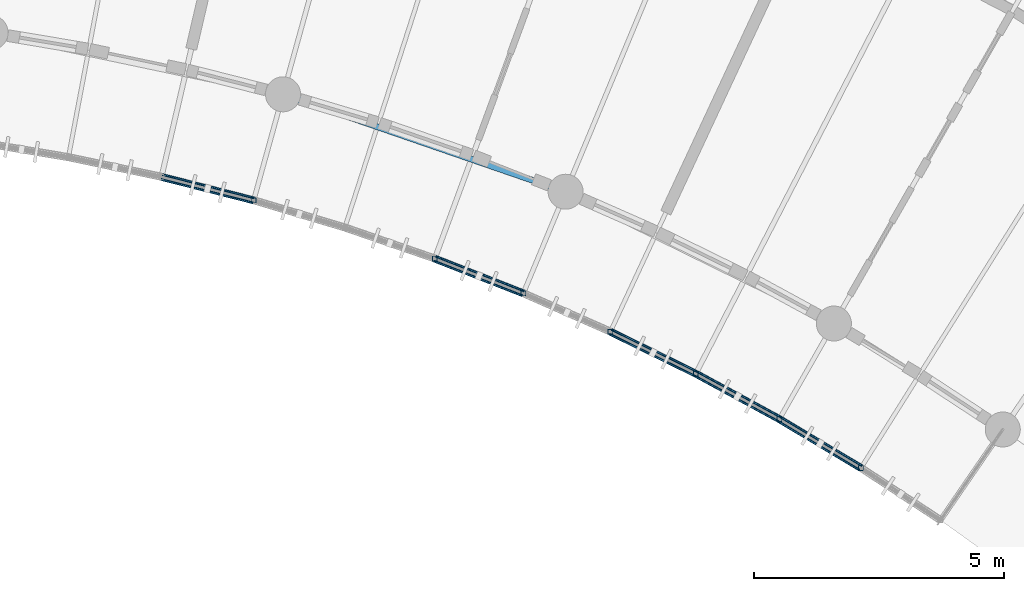
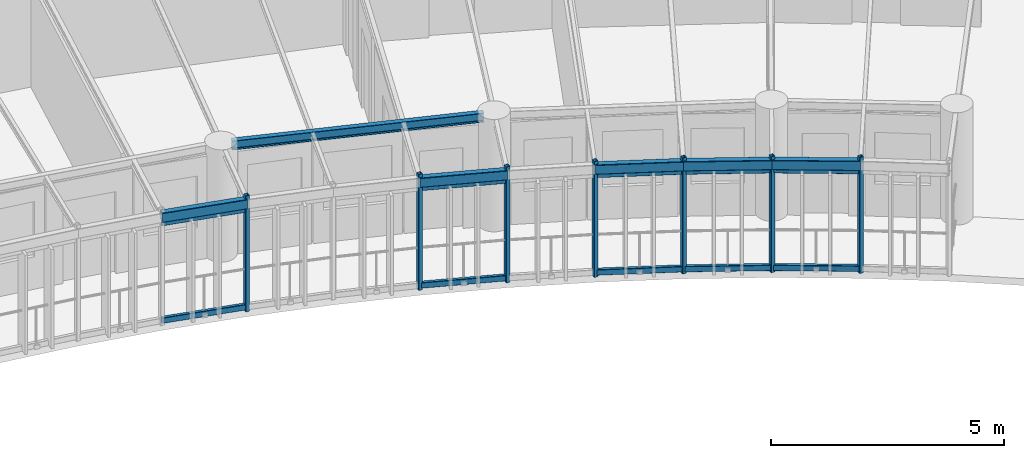
# One storey, part 54 of 123: 17 members, 6 beams.
"""IFC4 building model written with IfcOpenShell, lengths in metres."""

from ifc_helpers import new_model, si_unit, direction, frame, origin, origin_2d, place, context, subcontext, project, spatial, hollow_rectangle, i_section, extrude, material, material_profile, profile_set, type_object, element, save


model = new_model("IFC4")

# Units and contexts
model_context = context("Model", 3, precision=1e-05, world=origin(), true_north=direction((0.0, 1.0)))
body_context = subcontext(model_context, "Body", "Model", "MODEL_VIEW")
ifc_project = project(units=[si_unit("LENGTHUNIT", "METRE"), si_unit("AREAUNIT", "SQUARE_METRE"), si_unit("VOLUMEUNIT", "CUBIC_METRE"), si_unit("PLANEANGLEUNIT", "RADIAN"), si_unit("MASSUNIT", "GRAM", prefix="KILO"), si_unit("POWERUNIT", "WATT"), si_unit("THERMODYNAMICTEMPERATUREUNIT", "KELVIN")], contexts=[model_context])

# Site, building, storey
site_placement = place(None, origin())
site = spatial("IfcSite", under=ifc_project, at=site_placement, CompositionType="ELEMENT")
building_placement = place(site_placement, origin())
building = spatial("IfcBuilding", under=site, at=building_placement, Name="Ruvembo Vaulted Housing Court", CompositionType="ELEMENT")
storey_placement = place(building_placement, frame((0.0, 0.0, 7.699951171875)))
storey = spatial("IfcBuildingStorey", under=building, at=storey_placement, Name="L02", CompositionType="ELEMENT", Elevation=7.699951171875)

# Beams
ifc_material = material(Name="Steel S355J2", Category="steel")
ifc_material_profile_1 = material_profile(ifc_material, i_section(OverallWidth=0.1201171875, OverallDepth=0.239990234375, WebThickness=0.006103515625, FlangeThickness=0.009765625, FilletRadius=0.014892578125, at=origin_2d()), Name="IPE 240")
ifc_profile_set_1 = profile_set([ifc_material_profile_1], Name="Steel S355J2")
beam_type_1 = type_object("IfcBeamType", Name="BM-ST-IPE240", PredefinedType="BEAM", material=ifc_profile_set_1)
beam_placement = place(storey_placement, frame((130.01220703125, 96.188232421875, 2.822021484375), z_axis=(0.945373922745, -0.325987954063, 0.0), x_axis=(0.325987954063, 0.945373922745, 0.0)))
element("IfcBeam", 1, at=beam_placement, inside=storey, type_object=beam_type_1, Name="Scoop SC3 L02 Chord Girder F21", PredefinedType="BEAM", context=body_context, shape_type="SweptSolid", body=[
    extrude(i_section(OverallWidth=0.1201171875, OverallDepth=0.239990234375, WebThickness=0.006103515625, FlangeThickness=0.009765625, FilletRadius=0.014892578125, at=origin_2d()), origin(), (0.0, 0.0, 1.0), 5.513671875),
])
ifc_material_profile_2 = material_profile(ifc_material, hollow_rectangle(XDim=0.14990234375, YDim=0.25, WallThickness=0.010009765625, InnerFilletRadius=0.010009765625, OuterFilletRadius=0.02001953125, at=origin_2d()), Name="RHS 250x150x10")
ifc_profile_set_2 = profile_set([ifc_material_profile_2], Name="Steel S355J2")
beam_type_2 = type_object("IfcBeamType", Name="BM-ST-RHS250", PredefinedType="SPANDREL", material=ifc_profile_set_2)
for number, where, z_axis, x_axis, name in (
    (2, (127.365966796875, 94.611572265625, 2.81494140625), (0.969121730429, -0.246582788553, 0.0), (0.246582788553, 0.969121730429, 0.0), "Scoop SC3 L02 Balcony Edge Spandrel 20"),
    (3, (132.826904296875, 92.978515625, 2.81494140625), (0.931005720133, -0.365004587752, 0.0), (0.365004587752, 0.931005720133, 0.0), "Scoop SC3 L02 Balcony Edge Spandrel 23"),
):
    element("IfcBeam", number, at=place(storey_placement, frame(where, z_axis=z_axis, x_axis=x_axis)), inside=storey, type_object=beam_type_2, Name=name, PredefinedType="SPANDREL", context=body_context, shape_type="SweptSolid", body=[
        extrude(hollow_rectangle(XDim=0.14990234375, YDim=0.25, WallThickness=0.010009765625, InnerFilletRadius=0.010009765625, OuterFilletRadius=0.02001953125, at=origin_2d()), origin(), (0.0, 0.0, 1.0), 1.90087890625),
    ])
for number, where, z_axis, x_axis, name in (
    (4, (136.336181640625, 91.51806640625, 2.81494140625), (0.897513310314, -0.44098736695, 0.0), (0.44098736695, 0.897513310314, 0.0), "Scoop SC3 L02 Balcony Edge Spandrel 25"),
    (5, (138.04248046875, 90.6796875, 2.81494140625), (0.878513214386, -0.477718046706, 0.0), (0.477718046706, 0.878513214386, 0.0), "Scoop SC3 L02 Balcony Edge Spandrel 26"),
    (6, (139.712646484375, 89.771484375, 2.81494140625), (0.857889282303, -0.513834583607, 0.0), (0.513834583607, 0.857889282303, 0.0), "Scoop SC3 L02 Balcony Edge Spandrel 27"),
):
    element("IfcBeam", number, at=place(storey_placement, frame(where, z_axis=z_axis, x_axis=x_axis)), inside=storey, type_object=beam_type_2, Name=name, PredefinedType="SPANDREL", context=body_context, shape_type="SweptSolid", body=[
        extrude(hollow_rectangle(XDim=0.14990234375, YDim=0.25, WallThickness=0.010009765625, InnerFilletRadius=0.010009765625, OuterFilletRadius=0.02001953125, at=origin_2d()), origin(), (0.0, 0.0, 1.0), 1.901123046875),
    ])

# Members
ifc_material_profile_3 = material_profile(ifc_material, hollow_rectangle(XDim=0.06005859375, YDim=0.1201171875, WallThickness=0.0048828125, InnerFilletRadius=0.0048828125, OuterFilletRadius=0.010009765625, at=origin_2d()), Name="RHS 120x60x5")
ifc_profile_set_3 = profile_set([ifc_material_profile_3], Name="Steel S355J2")
member_type_1 = type_object("IfcMemberType", Name="MEM-CAR-RHS120", PredefinedType="CHORD", material=ifc_profile_set_3)
for number, where, z_axis, x_axis, name in (
    (7, (127.365966796875, 94.611572265625, 2.633056640625), (0.969121730429, -0.246582788553, 0.0), (0.246582788553, 0.969121730429, 0.0), "Scoop SC3 L02 Upper Louvre Carrier Rail 20"),
    (8, (132.826904296875, 92.978515625, 2.633056640625), (0.931005720133, -0.365004587752, 0.0), (0.365004587752, 0.931005720133, 0.0), "Scoop SC3 L02 Upper Louvre Carrier Rail 23"),
):
    element("IfcMember", number, at=place(storey_placement, frame(where, z_axis=z_axis, x_axis=x_axis)), inside=storey, type_object=member_type_1, Name=name, PredefinedType="CHORD", context=body_context, shape_type="SweptSolid", body=[
        extrude(hollow_rectangle(XDim=0.06005859375, YDim=0.1201171875, WallThickness=0.0048828125, InnerFilletRadius=0.0048828125, OuterFilletRadius=0.010009765625, at=origin_2d()), origin(), (0.0, 0.0, 1.0), 1.90087890625),
    ])
for number, where, z_axis, x_axis, name in (
    (9, (136.336181640625, 91.51806640625, 2.633056640625), (0.897513310314, -0.44098736695, 0.0), (0.44098736695, 0.897513310314, 0.0), "Scoop SC3 L02 Upper Louvre Carrier Rail 25"),
    (10, (138.04248046875, 90.6796875, 2.633056640625), (0.878513214386, -0.477718046706, 0.0), (0.477718046706, 0.878513214386, 0.0), "Scoop SC3 L02 Upper Louvre Carrier Rail 26"),
    (11, (139.712646484375, 89.771484375, 2.633056640625), (0.857889282303, -0.513834583607, 0.0), (0.513834583607, 0.857889282303, 0.0), "Scoop SC3 L02 Upper Louvre Carrier Rail 27"),
):
    element("IfcMember", number, at=place(storey_placement, frame(where, z_axis=z_axis, x_axis=x_axis)), inside=storey, type_object=member_type_1, Name=name, PredefinedType="CHORD", context=body_context, shape_type="SweptSolid", body=[
        extrude(hollow_rectangle(XDim=0.06005859375, YDim=0.1201171875, WallThickness=0.0048828125, InnerFilletRadius=0.0048828125, OuterFilletRadius=0.010009765625, at=origin_2d()), origin(), (0.0, 0.0, 1.0), 1.901123046875),
    ])
ifc_material_profile_4 = material_profile(ifc_material, hollow_rectangle(XDim=0.080078125, YDim=0.14990234375, WallThickness=0.00634765625, InnerFilletRadius=0.00634765625, OuterFilletRadius=0.0126953125, at=origin_2d()), Name="RHS 150x80x6.3")
ifc_profile_set_4 = profile_set([ifc_material_profile_4], Name="Steel S355J2")
member_type_2 = type_object("IfcMemberType", Name="MEM-CAR-RHS150", PredefinedType="CHORD", material=ifc_profile_set_4)
for number, where, z_axis, x_axis, name in (
    (12, (127.365966796875, 94.611572265625, 0.094970703125), (0.969121730429, -0.246582788553, 0.0), (0.246582788553, 0.969121730429, 0.0), "Scoop SC3 L02 Lower Louvre Carrier Rail 20"),
    (13, (132.826904296875, 92.978515625, 0.094970703125), (0.931005720133, -0.365004587752, 0.0), (0.365004587752, 0.931005720133, 0.0), "Scoop SC3 L02 Lower Louvre Carrier Rail 23"),
):
    element("IfcMember", number, at=place(storey_placement, frame(where, z_axis=z_axis, x_axis=x_axis)), inside=storey, type_object=member_type_2, Name=name, PredefinedType="CHORD", context=body_context, shape_type="SweptSolid", body=[
        extrude(hollow_rectangle(XDim=0.080078125, YDim=0.14990234375, WallThickness=0.00634765625, InnerFilletRadius=0.00634765625, OuterFilletRadius=0.0126953125, at=origin_2d()), origin(), (0.0, 0.0, 1.0), 1.90087890625),
    ])
for number, where, z_axis, x_axis, name in (
    (14, (136.336181640625, 91.51806640625, 0.094970703125), (0.897513310314, -0.44098736695, 0.0), (0.44098736695, 0.897513310314, 0.0), "Scoop SC3 L02 Lower Louvre Carrier Rail 25"),
    (15, (138.04248046875, 90.6796875, 0.094970703125), (0.878513214386, -0.477718046706, 0.0), (0.477718046706, 0.878513214386, 0.0), "Scoop SC3 L02 Lower Louvre Carrier Rail 26"),
    (16, (139.712646484375, 89.771484375, 0.094970703125), (0.857889282303, -0.513834583607, 0.0), (0.513834583607, 0.857889282303, 0.0), "Scoop SC3 L02 Lower Louvre Carrier Rail 27"),
):
    element("IfcMember", number, at=place(storey_placement, frame(where, z_axis=z_axis, x_axis=x_axis)), inside=storey, type_object=member_type_2, Name=name, PredefinedType="CHORD", context=body_context, shape_type="SweptSolid", body=[
        extrude(hollow_rectangle(XDim=0.080078125, YDim=0.14990234375, WallThickness=0.00634765625, InnerFilletRadius=0.00634765625, OuterFilletRadius=0.0126953125, at=origin_2d()), origin(), (0.0, 0.0, 1.0), 1.901123046875),
    ])
ifc_material_profile_5 = material_profile(ifc_material, hollow_rectangle(XDim=0.10009765625, YDim=0.10009765625, WallThickness=0.00634765625, InnerFilletRadius=0.00634765625, OuterFilletRadius=0.0126953125, at=origin_2d()), Name="SHS 100x100x6.3")
ifc_profile_set_5 = profile_set([ifc_material_profile_5], Name="Steel S355J2")
member_type_3 = type_object("IfcMemberType", Name="MEM-FRM-SHS100", PredefinedType="STRUT", material=ifc_profile_set_5)
for number, where, z_axis, x_axis, name in (
    (17, (129.208251953125, 94.142822265625, -0.014892578125), (0.0, 0.0, 1.0), (1.0, 0.0, 0.0), "Scoop SC3 L02 Louvre Frame Post 21"),
    (18, (132.826904296875, 92.978515625, -0.014892578125), (0.0, 0.0, 1.0), (1.0, 0.0, 0.0), "Scoop SC3 L02 Louvre Frame Post 23"),
    (19, (134.5966796875, 92.28466796875, -0.014892578125), (0.0, 0.0, 1.0), (1.0, 0.0, 0.0), "Scoop SC3 L02 Louvre Frame Post 24"),
    (20, (136.336181640625, 91.51806640625, -0.014892578125), (0.0, 0.0, 1.0), (1.0, 0.0, 0.0), "Scoop SC3 L02 Louvre Frame Post 25"),
    (21, (138.04248046875, 90.6796875, -0.014892578125), (0.0, 0.0, 1.0), (1.0, 0.0, 0.0), "Scoop SC3 L02 Louvre Frame Post 26"),
    (22, (139.712646484375, 89.771484375, -0.014892578125), (0.0, 0.0, 1.0), (1.0, 0.0, 0.0), "Scoop SC3 L02 Louvre Frame Post 27"),
    (23, (141.343505859375, 88.794677734375, -0.014892578125), (0.0, 0.0, 1.0), (1.0, 0.0, 0.0), "Scoop SC3 L02 Louvre Frame Post 28"),
):
    element("IfcMember", number, at=place(storey_placement, frame(where, z_axis=z_axis, x_axis=x_axis)), inside=storey, type_object=member_type_3, Name=name, PredefinedType="STRUT", context=body_context, shape_type="SweptSolid", body=[
        extrude(hollow_rectangle(XDim=0.10009765625, YDim=0.10009765625, WallThickness=0.00634765625, InnerFilletRadius=0.00634765625, OuterFilletRadius=0.0126953125, at=origin_2d()), origin(), (0.0, 0.0, 1.0), 3.041015625),
    ])

save(model, "model.ifc")
